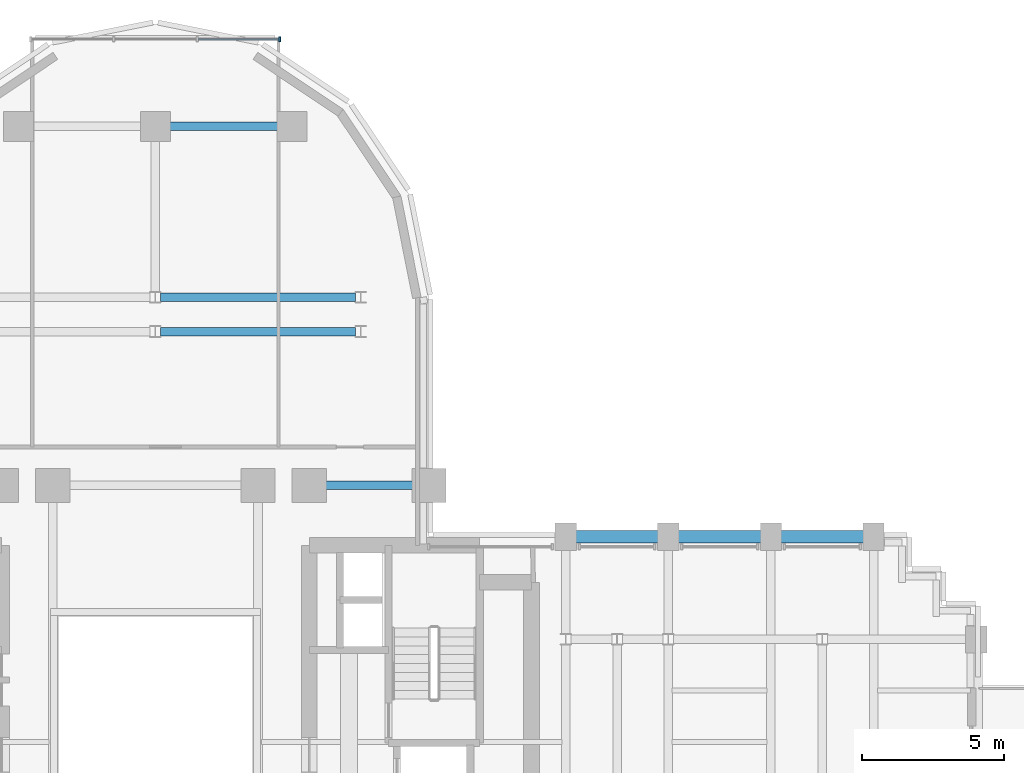
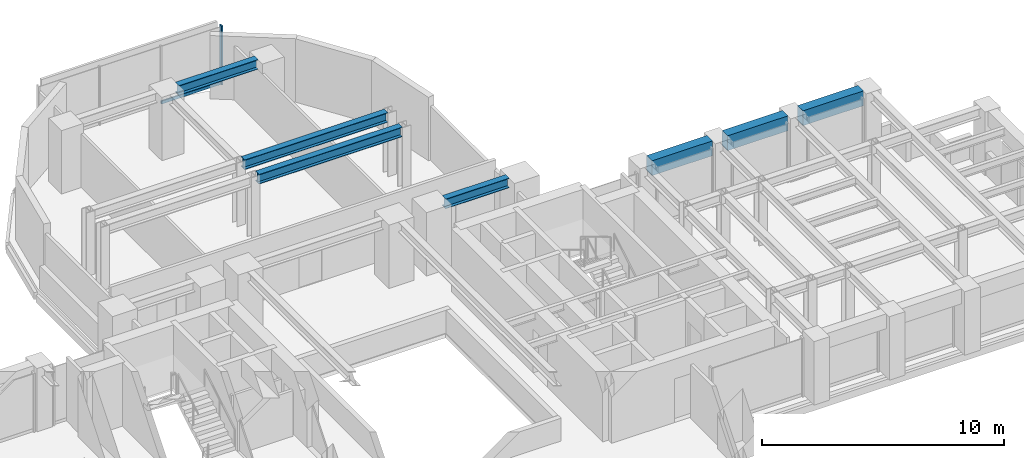
# One storey, part 8 of 15: 7 beams, 2 members, 1 element without a shape of its own.
"""IFC4 building model written with IfcOpenShell, lengths in metres."""

from ifc_helpers import new_model, si_unit, direction, frame, origin, origin_2d, place, context, subcontext, project, spatial, rectangle, i_section, extrude, source, transform, mapped, material, material_profile, profile_set, type_object, element, aggregate, save


model = new_model("IFC4")

# Units and contexts
model_context = context("Model", 3, precision=1e-05, world=origin(), true_north=direction((0.0, 1.0)))
body_context = subcontext(model_context, "Body", "Model", "MODEL_VIEW")
ifc_project = project(units=[si_unit("LENGTHUNIT", "METRE"), si_unit("AREAUNIT", "SQUARE_METRE"), si_unit("VOLUMEUNIT", "CUBIC_METRE"), si_unit("PLANEANGLEUNIT", "RADIAN"), si_unit("MASSUNIT", "GRAM", prefix="KILO")], contexts=[model_context])

# Site, building, storey
site_placement = place(None, origin())
site = spatial("IfcSite", under=ifc_project, at=site_placement, CompositionType="ELEMENT")
building_placement = place(site_placement, origin())
building = spatial("IfcBuilding", under=site, at=building_placement, Name="Keilestroom Media Tower", CompositionType="ELEMENT")
storey_placement = place(building_placement, frame((0.0, 0.0, 47.60009765625)))
storey = spatial("IfcBuildingStorey", under=building, at=storey_placement, Name="L11", CompositionType="ELEMENT", Elevation=47.60009765625)

# Beams
ifc_material_1 = material(Name="Precast concrete C40/50", Category="concrete")
ifc_material_profile_1 = material_profile(ifc_material_1, rectangle(XDim=0.449951171875, YDim=0.75, at=origin_2d()), Name="PC 450x750")
ifc_profile_set_1 = profile_set([ifc_material_profile_1], Name="Precast concrete C40/50")
beam_type_1 = type_object("IfcBeamType", Name="Perimeter-Spandrel-Beam-PC-450x750", PredefinedType="SPANDREL", material=ifc_profile_set_1)
shared_shape_1 = source(origin(), body_context, "Body", "SweptSolid", [
    extrude(rectangle(XDim=0.449951171875, YDim=0.75, at=origin_2d()), origin(), (0.0, 0.0, 1.0), 2.889892578125),
])
beam_1_placement = place(storey_placement, frame((21.955078125, 7.199951171875, 2.824951171875), z_axis=(1.0, 0.0, 0.0), x_axis=(0.0, 1.0, 0.0)))
element("IfcBeam", 1, at=beam_1_placement, inside=storey, type_object=beam_type_1, Name="L11 Beam SPB-1 BM-L11-EW-039", PredefinedType="SPANDREL", context=body_context, shape_type="MappedRepresentation", body=[
    mapped(shared_shape_1, transform((0.0, 0.0, 0.0), x_axis=(1.0, 0.0, 0.0), y_axis=(0.0, 1.0, 0.0), z_axis=(0.0, 0.0, 1.0), scale=1.0)),
])
shared_shape_2 = source(origin(), body_context, "Body", "SweptSolid", [
    extrude(rectangle(XDim=0.449951171875, YDim=0.75, at=origin_2d()), origin(), (0.0, 0.0, 1.0), 2.89013671875),
])
for number, where, z_axis, x_axis, name in (
    (2, (14.7548828125, 7.199951171875, 2.824951171875), (1.0, 0.0, 0.0), (0.0, 1.0, 0.0), "L11 Beam SPB-1 BM-L11-EW-037"),
    (3, (18.35498046875, 7.199951171875, 2.824951171875), (1.0, 0.0, 0.0), (0.0, 1.0, 0.0), "L11 Beam SPB-1 BM-L11-EW-038"),
):
    element("IfcBeam", number, at=place(storey_placement, frame(where, z_axis=z_axis, x_axis=x_axis)), inside=storey, type_object=beam_type_1, Name=name, PredefinedType="SPANDREL", context=body_context, shape_type="MappedRepresentation", body=[
        mapped(shared_shape_2, transform((0.0, 0.0, 0.0), x_axis=(1.0, 0.0, 0.0), y_axis=(0.0, 1.0, 0.0), z_axis=(0.0, 0.0, 1.0), scale=1.0)),
    ])
ifc_material_2 = material(Name="Steel S355", Category="steel")
ifc_material_profile_2 = material_profile(ifc_material_2, i_section(OverallWidth=0.300048828125, OverallDepth=0.489990234375, WebThickness=0.011962890625, FlangeThickness=0.02294921875, at=origin_2d()), Name="HEA 500")
ifc_profile_set_2 = profile_set([ifc_material_profile_2], Name="Steel S355")
beam_type_2 = type_object("IfcBeamType", Name="Primary-Structural-Girder-HEA-500", PredefinedType="BEAM", material=ifc_profile_set_2)
shared_shape_3 = source(origin(), body_context, "Body", "SweptSolid", [
    extrude(i_section(OverallWidth=0.300048828125, OverallDepth=0.489990234375, WebThickness=0.011962890625, FlangeThickness=0.02294921875, at=origin_2d()), origin(), (0.0, 0.0, 1.0), 3.7900390625),
])
beam_2_placement = place(storey_placement, frame((0.5048828125, 21.60009765625, 2.954833984375), z_axis=(1.0, 0.0, 0.0), x_axis=(0.0, 1.0, 0.0)))
element("IfcBeam", 4, at=beam_2_placement, inside=storey, type_object=beam_type_2, Name="L11 Beam BG-10 BM-L11-EW-050", PredefinedType="BEAM", context=body_context, shape_type="MappedRepresentation", body=[
    mapped(shared_shape_3, transform((0.0, 0.0, 0.0), x_axis=(1.0, 0.0, 0.0), y_axis=(0.0, 1.0, 0.0), z_axis=(0.0, 0.0, 1.0), scale=1.0)),
])
shared_shape_4 = source(origin(), body_context, "Body", "SweptSolid", [
    extrude(i_section(OverallWidth=0.300048828125, OverallDepth=0.489990234375, WebThickness=0.011962890625, FlangeThickness=0.02294921875, at=origin_2d()), origin(), (0.0, 0.0, 1.0), 6.836181640625),
])
for number, where, z_axis, x_axis, name in (
    (5, (0.181884765625, 14.39990234375, 2.954833984375), (1.0, 0.0, 0.0), (0.0, 1.0, 0.0), "L11 Beam BG-10 BM-L11-EW-046"),
    (6, (0.181884765625, 15.60009765625, 2.954833984375), (1.0, 0.0, 0.0), (0.0, 1.0, 0.0), "L11 Beam BG-10 BM-L11-EW-048"),
):
    element("IfcBeam", number, at=place(storey_placement, frame(where, z_axis=z_axis, x_axis=x_axis)), inside=storey, type_object=beam_type_2, Name=name, PredefinedType="BEAM", context=body_context, shape_type="MappedRepresentation", body=[
        mapped(shared_shape_4, transform((0.0, 0.0, 0.0), x_axis=(1.0, 0.0, 0.0), y_axis=(0.0, 1.0, 0.0), z_axis=(0.0, 0.0, 1.0), scale=1.0)),
    ])
shared_shape_5 = source(origin(), body_context, "Body", "SweptSolid", [
    extrude(i_section(OverallWidth=0.300048828125, OverallDepth=0.489990234375, WebThickness=0.011962890625, FlangeThickness=0.02294921875, at=origin_2d()), origin(), (0.0, 0.0, 1.0), 3.0400390625),
])
beam_3_placement = place(storey_placement, frame((5.97998046875, 9.0, 2.954833984375), z_axis=(1.0, 0.0, 0.0), x_axis=(0.0, 1.0, 0.0)))
element("IfcBeam", 7, at=beam_3_placement, inside=storey, type_object=beam_type_2, Name="L11 Beam BG-10 BM-L11-EW-044", PredefinedType="BEAM", context=body_context, shape_type="MappedRepresentation", body=[
    mapped(shared_shape_5, transform((0.0, 0.0, 0.0), x_axis=(1.0, 0.0, 0.0), y_axis=(0.0, 1.0, 0.0), z_axis=(0.0, 0.0, 1.0), scale=1.0)),
])

# Curtain wall, members
ifc_material_3 = material(Name="Anodised Aluminium Alloy", Category="aluminium")
curtain_wall_type = type_object("IfcCurtainWallType", Name="Unitised-Curtain-Wall-CW-6", PredefinedType="NOTDEFINED", material=ifc_material_3)
curtain_wall_placement = place(storey_placement, origin())
curtain_wall = element("IfcCurtainWall", 8, at=curtain_wall_placement, inside=storey, type_object=curtain_wall_type, Name="L11 Curtain Wall CW-6 CW-L11-LN-1", PredefinedType="NOTDEFINED")
ifc_material_profile_3 = material_profile(ifc_material_3, rectangle(XDim=0.06494140625, YDim=0.179931640625, at=origin_2d()), Name="ALU MULLION 65x180")
ifc_profile_set_3 = profile_set([ifc_material_profile_3], Name="Anodised Aluminium Alloy")
member_type_1 = type_object("IfcMemberType", Name="Curtain-Wall-Mullion-CW-6", PredefinedType="MULLION", material=ifc_profile_set_3)
shared_shape_6 = source(origin(), body_context, "Body", "SweptSolid", [
    extrude(rectangle(XDim=0.06494140625, YDim=0.179931640625, at=origin_2d()), origin(), (0.0, 0.0, 1.0), 2.97998046875),
])
member_1_placement = place(storey_placement, frame((4.367431640625, 24.64990234375, 0.0), z_axis=(0.0, 0.0, 1.0), x_axis=(1.0, 0.0, 0.0)))
member_1 = element("IfcMember", 9, at=member_1_placement, type_object=member_type_1, Name="CW-6 Mullion 03", PredefinedType="MULLION", context=body_context, shape_type="MappedRepresentation", body=[
    mapped(shared_shape_6, transform((0.0, 0.0, 0.0), x_axis=(1.0, 0.0, 0.0), y_axis=(0.0, 1.0, 0.0), z_axis=(0.0, 0.0, 1.0), scale=1.0)),
])
ifc_material_profile_4 = material_profile(ifc_material_3, rectangle(XDim=0.06494140625, YDim=0.14990234375, at=origin_2d()), Name="ALU TRANSOM 65x150")
ifc_profile_set_4 = profile_set([ifc_material_profile_4], Name="Anodised Aluminium Alloy")
member_type_2 = type_object("IfcMemberType", Name="Curtain-Wall-Transom-CW-6", PredefinedType="USERDEFINED", material=ifc_profile_set_4)
shared_shape_7 = source(origin(), body_context, "Body", "SweptSolid", [
    extrude(rectangle(XDim=0.06494140625, YDim=0.14990234375, at=origin_2d()), origin(), (0.0, 0.0, 1.0), 2.839599609375),
])
member_2_placement = place(storey_placement, frame((1.497314453125, 24.64990234375, 0.074951171875), z_axis=(1.0, 0.0, 0.0), x_axis=(0.0, 1.0, 0.0)))
member_2 = element("IfcMember", 10, at=member_2_placement, type_object=member_type_2, Name="CW-6 Transom 02.1", ObjectType="TRANSOM", PredefinedType="USERDEFINED", context=body_context, shape_type="MappedRepresentation", body=[
    mapped(shared_shape_7, transform((0.0, 0.0, 0.0), x_axis=(1.0, 0.0, 0.0), y_axis=(0.0, 1.0, 0.0), z_axis=(0.0, 0.0, 1.0), scale=1.0)),
])
aggregate(curtain_wall, [member_1, member_2])

save(model, "model.ifc")
